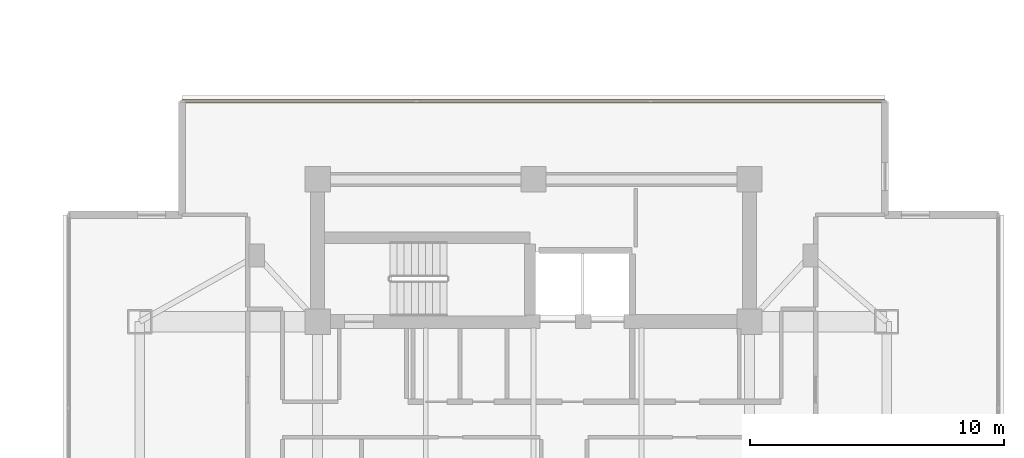
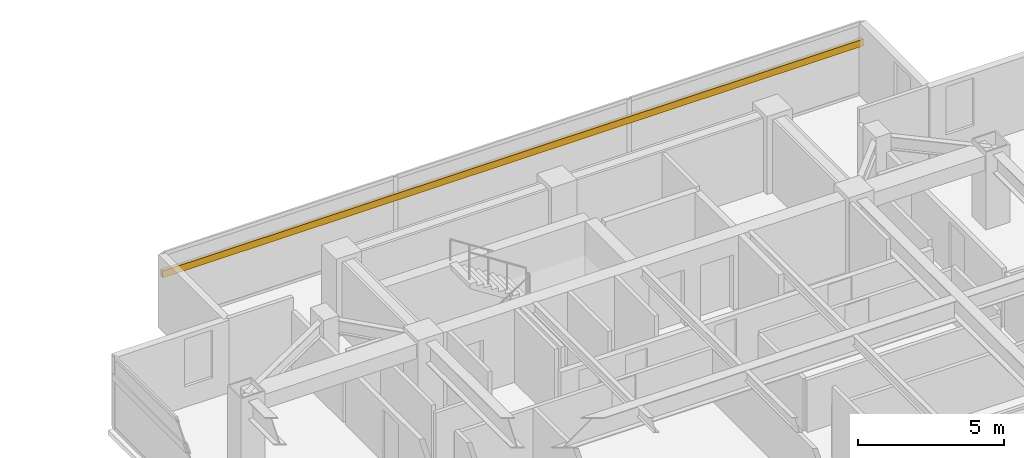
# One storey, part 25 of 25: 1 shading device.
"""IFC4 building model written with IfcOpenShell, lengths in metres."""

from ifc_helpers import new_model, si_unit, direction, frame, origin, origin_2d, place, context, subcontext, project, spatial, rectangle, extrude, material, material_profile, profile_set, type_object, element, save


model = new_model("IFC4")

# Units and contexts
model_context = context("Model", 3, precision=1e-05, world=origin(), true_north=direction((0.0, 1.0)))
body_context = subcontext(model_context, "Body", "Model", "MODEL_VIEW")
ifc_project = project(units=[si_unit("LENGTHUNIT", "METRE"), si_unit("AREAUNIT", "SQUARE_METRE"), si_unit("VOLUMEUNIT", "CUBIC_METRE"), si_unit("PLANEANGLEUNIT", "RADIAN"), si_unit("MASSUNIT", "GRAM", prefix="KILO")], contexts=[model_context])

# Site, building, storey
site_placement = place(None, origin())
site = spatial("IfcSite", under=ifc_project, at=site_placement, CompositionType="ELEMENT")
building_placement = place(site_placement, origin())
building = spatial("IfcBuilding", under=site, at=building_placement, Name="Mirazonda Arch Towers", CompositionType="ELEMENT")
storey_placement = place(building_placement, frame((0.0, 0.0, 177.14990234375)))
storey = spatial("IfcBuildingStorey", under=building, at=storey_placement, Name="L50", CompositionType="ELEMENT", Elevation=177.14990234375)

# Shading device
ifc_material = material(Name="Kiln-Fired Architectural Terracotta", Category="masonry")
ifc_material_profile = material_profile(ifc_material, rectangle(XDim=0.139892578125, YDim=0.280029296875, at=origin_2d()), Name="TERRA-BAG-140x280")
ifc_profile_set = profile_set([ifc_material_profile], Name="Kiln-Fired Architectural Terracotta")
shading_device_type = type_object("IfcShadingDeviceType", Name="BAGUETTE-3", PredefinedType="USERDEFINED", material=ifc_profile_set)
shading_device_placement = place(storey_placement, frame((62.666748046875, 43.87451171875, 2.181640625), z_axis=(1.0, 0.0, 0.0), x_axis=(0.0, 1.0, 0.0)))
element("IfcShadingDevice", 1, at=shading_device_placement, inside=storey, type_object=shading_device_type, Name="L50 Glazed Terracotta Sun-Screen Baguette CW-L50-T2-N", ObjectType="BAGUETTE", PredefinedType="USERDEFINED", context=body_context, shape_type="SweptSolid", body=[
    extrude(rectangle(XDim=0.139892578125, YDim=0.280029296875, at=origin_2d()), origin(), (0.0, 0.0, 1.0), 27.66650390625),
])

save(model, "model.ifc")
